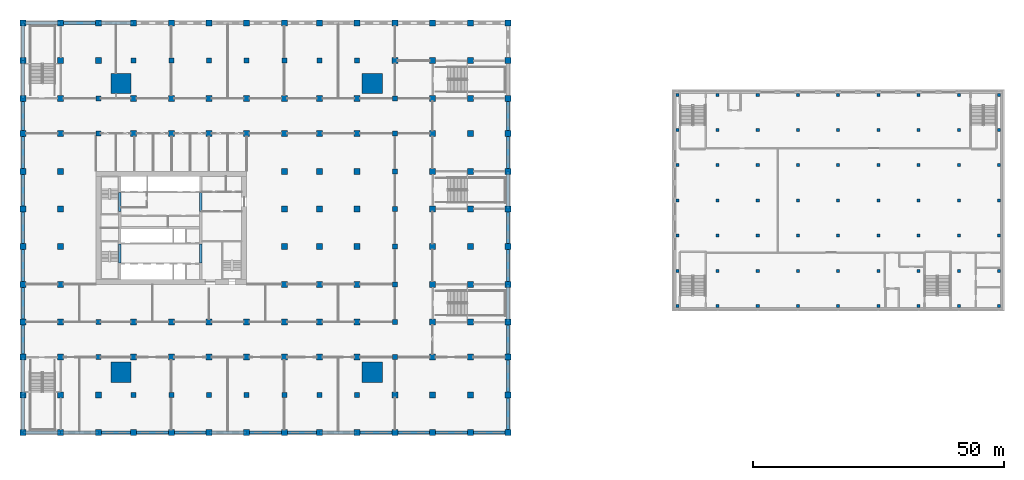
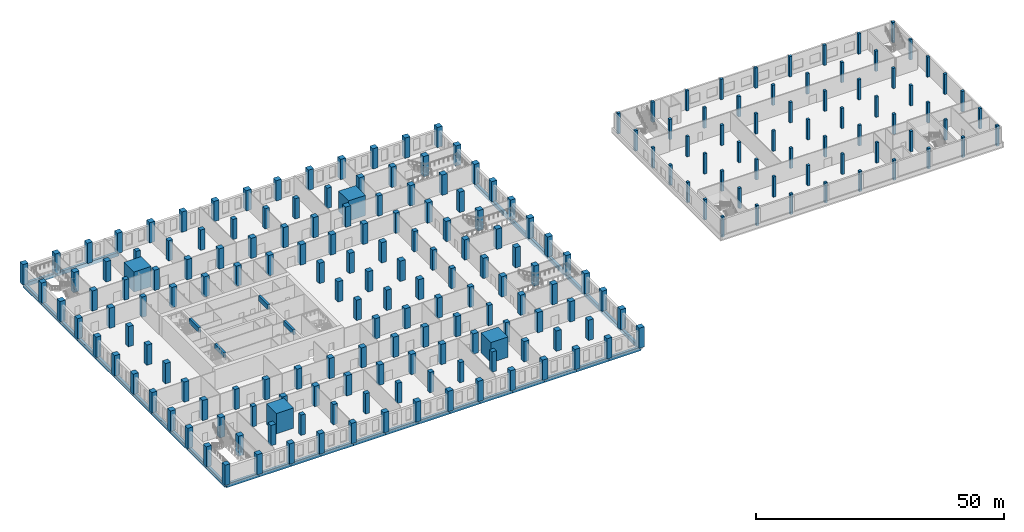
# One storey, part 1 of 32: 215 columns, 40 beams.
"""IFC4 building model written with IfcOpenShell, lengths in metres."""

from ifc_helpers import new_model, si_unit, direction, frame, origin, origin_2d, place, context, subcontext, project, spatial, rectangle, extrude, material, material_profile, profile_set, type_object, element, save


model = new_model("IFC4")

# Units and contexts
model_context = context("Model", 3, precision=1e-05, world=origin(), true_north=direction((0.0, 1.0)))
body_context = subcontext(model_context, "Body", "Model", "MODEL_VIEW")
ifc_project = project(units=[si_unit("LENGTHUNIT", "METRE"), si_unit("AREAUNIT", "SQUARE_METRE"), si_unit("VOLUMEUNIT", "CUBIC_METRE"), si_unit("PLANEANGLEUNIT", "RADIAN"), si_unit("MASSUNIT", "GRAM", prefix="KILO")], contexts=[model_context])

# Site, building, storey
site_placement = place(None, origin())
site = spatial("IfcSite", under=ifc_project, at=site_placement, CompositionType="ELEMENT")
building_placement = place(site_placement, origin())
building = spatial("IfcBuilding", under=site, at=building_placement, Name="Tamorin Gate", CompositionType="ELEMENT")
storey_placement = place(building_placement, frame((0.0, 0.0, 18.5)))
storey = spatial("IfcBuildingStorey", under=building, at=storey_placement, Name="L03", CompositionType="ELEMENT", Elevation=18.5)

# Columns
ifc_material_1 = material(Name="Concrete C80/95", Category="concrete")
ifc_material_profile_1 = material_profile(ifc_material_1, rectangle(XDim=1.0, YDim=1.0, at=origin_2d()), Name="RC 1000x1000")
ifc_profile_set_1 = profile_set([ifc_material_profile_1], Name="Concrete C80/95")
column_type_1 = type_object("IfcColumnType", Name="RC column 1000x1000 C80/95", PredefinedType="COLUMN", material=ifc_profile_set_1)
for number, where, z_axis, x_axis, name in (
    (1, (30.5, 45.5, 0.0), (0.0, 0.0, 1.0), (1.0, 0.0, 0.0), "Ring column L03"),
    (2, (30.5, 52.5, 0.0), (0.0, 0.0, 1.0), (1.0, 0.0, 0.0), "Ring column L03"),
    (3, (30.5, 90.0, 0.0), (0.0, 0.0, 1.0), (1.0, 0.0, 0.0), "Ring column L03"),
    (4, (30.5, 97.0, 0.0), (0.0, 0.0, 1.0), (1.0, 0.0, 0.0), "Ring column L03"),
    (5, (37.5, 38.0, 0.0), (0.0, 0.0, 1.0), (1.0, 0.0, 0.0), "Ring column L03"),
    (6, (37.5, 104.5, 0.0), (0.0, 0.0, 1.0), (1.0, 0.0, 0.0), "Ring column L03"),
    (7, (45.0, 38.0, 0.0), (0.0, 0.0, 1.0), (1.0, 0.0, 0.0), "Ring column L03"),
    (8, (45.0, 104.5, 0.0), (0.0, 0.0, 1.0), (1.0, 0.0, 0.0), "Ring column L03"),
    (9, (52.5, 38.0, 0.0), (0.0, 0.0, 1.0), (1.0, 0.0, 0.0), "Ring column L03"),
    (10, (52.5, 104.5, 0.0), (0.0, 0.0, 1.0), (1.0, 0.0, 0.0), "Ring column L03"),
    (11, (60.0, 38.0, 0.0), (0.0, 0.0, 1.0), (1.0, 0.0, 0.0), "Ring column L03"),
    (12, (60.0, 104.5, 0.0), (0.0, 0.0, 1.0), (1.0, 0.0, 0.0), "Ring column L03"),
    (13, (67.5, 38.0, 0.0), (0.0, 0.0, 1.0), (1.0, 0.0, 0.0), "Ring column L03"),
    (14, (67.5, 104.5, 0.0), (0.0, 0.0, 1.0), (1.0, 0.0, 0.0), "Ring column L03"),
    (15, (74.5, 38.0, 0.0), (0.0, 0.0, 1.0), (1.0, 0.0, 0.0), "Ring column L03"),
    (16, (74.5, 104.5, 0.0), (0.0, 0.0, 1.0), (1.0, 0.0, 0.0), "Ring column L03"),
    (17, (82.0, 38.0, 0.0), (0.0, 0.0, 1.0), (1.0, 0.0, 0.0), "Ring column L03"),
    (18, (82.0, 104.5, 0.0), (0.0, 0.0, 1.0), (1.0, 0.0, 0.0), "Ring column L03"),
    (19, (89.5, 45.5, 0.0), (0.0, 0.0, 1.0), (1.0, 0.0, 0.0), "Ring column L03"),
    (20, (89.5, 52.5, 0.0), (0.0, 0.0, 1.0), (1.0, 0.0, 0.0), "Ring column L03"),
    (21, (89.5, 60.0, 0.0), (0.0, 0.0, 1.0), (1.0, 0.0, 0.0), "Ring column L03"),
    (22, (89.5, 67.5, 0.0), (0.0, 0.0, 1.0), (1.0, 0.0, 0.0), "Ring column L03"),
    (23, (89.5, 75.0, 0.0), (0.0, 0.0, 1.0), (1.0, 0.0, 0.0), "Ring column L03"),
    (24, (89.5, 82.5, 0.0), (0.0, 0.0, 1.0), (1.0, 0.0, 0.0), "Ring column L03"),
    (25, (89.5, 90.0, 0.0), (0.0, 0.0, 1.0), (1.0, 0.0, 0.0), "Ring column L03"),
    (26, (89.5, 97.0, 0.0), (0.0, 0.0, 1.0), (1.0, 0.0, 0.0), "Ring column L03"),
):
    element("IfcColumn", number, at=place(storey_placement, frame(where, z_axis=z_axis, x_axis=x_axis)), inside=storey, type_object=column_type_1, Name=name, PredefinedType="COLUMN", context=body_context, shape_type="SweptSolid", body=[
        extrude(rectangle(XDim=1.0, YDim=1.0, at=origin_2d()), origin(), (0.0, 0.0, 1.0), 5.0),
    ])
ifc_material_profile_2 = material_profile(ifc_material_1, rectangle(XDim=1.199951171875, YDim=1.199951171875, at=origin_2d()), Name="RC 1200x1200")
ifc_profile_set_2 = profile_set([ifc_material_profile_2], Name="Concrete C80/95")
column_type_2 = type_object("IfcColumnType", Name="RC column 1200x1200 C80/95", PredefinedType="COLUMN", material=ifc_profile_set_2)
for number, where, z_axis, x_axis, name in (
    (27, (37.5, 45.5, 0.0), (0.0, 0.0, 1.0), (1.0, 0.0, 0.0), "Interior column L03"),
    (28, (37.5, 52.5, 0.0), (0.0, 0.0, 1.0), (1.0, 0.0, 0.0), "Interior column L03"),
    (29, (37.5, 90.0, 0.0), (0.0, 0.0, 1.0), (1.0, 0.0, 0.0), "Interior column L03"),
    (30, (37.5, 97.0, 0.0), (0.0, 0.0, 1.0), (1.0, 0.0, 0.0), "Interior column L03"),
    (31, (45.0, 45.5, 0.0), (0.0, 0.0, 1.0), (1.0, 0.0, 0.0), "Interior column L03"),
    (32, (45.0, 52.5, 0.0), (0.0, 0.0, 1.0), (1.0, 0.0, 0.0), "Interior column L03"),
    (33, (45.0, 90.0, 0.0), (0.0, 0.0, 1.0), (1.0, 0.0, 0.0), "Interior column L03"),
    (34, (45.0, 97.0, 0.0), (0.0, 0.0, 1.0), (1.0, 0.0, 0.0), "Interior column L03"),
    (35, (52.5, 45.5, 0.0), (0.0, 0.0, 1.0), (1.0, 0.0, 0.0), "Interior column L03"),
    (36, (52.5, 52.5, 0.0), (0.0, 0.0, 1.0), (1.0, 0.0, 0.0), "Interior column L03"),
    (37, (52.5, 90.0, 0.0), (0.0, 0.0, 1.0), (1.0, 0.0, 0.0), "Interior column L03"),
    (38, (52.5, 97.0, 0.0), (0.0, 0.0, 1.0), (1.0, 0.0, 0.0), "Interior column L03"),
    (39, (60.0, 45.5, 0.0), (0.0, 0.0, 1.0), (1.0, 0.0, 0.0), "Interior column L03"),
    (40, (60.0, 52.5, 0.0), (0.0, 0.0, 1.0), (1.0, 0.0, 0.0), "Interior column L03"),
    (41, (60.0, 90.0, 0.0), (0.0, 0.0, 1.0), (1.0, 0.0, 0.0), "Interior column L03"),
    (42, (60.0, 97.0, 0.0), (0.0, 0.0, 1.0), (1.0, 0.0, 0.0), "Interior column L03"),
    (43, (67.5, 45.5, 0.0), (0.0, 0.0, 1.0), (1.0, 0.0, 0.0), "Interior column L03"),
    (44, (67.5, 52.5, 0.0), (0.0, 0.0, 1.0), (1.0, 0.0, 0.0), "Interior column L03"),
    (45, (67.5, 60.0, 0.0), (0.0, 0.0, 1.0), (1.0, 0.0, 0.0), "Interior column L03"),
    (46, (67.5, 67.5, 0.0), (0.0, 0.0, 1.0), (1.0, 0.0, 0.0), "Interior column L03"),
    (47, (67.5, 75.0, 0.0), (0.0, 0.0, 1.0), (1.0, 0.0, 0.0), "Interior column L03"),
    (48, (67.5, 82.5, 0.0), (0.0, 0.0, 1.0), (1.0, 0.0, 0.0), "Interior column L03"),
    (49, (67.5, 90.0, 0.0), (0.0, 0.0, 1.0), (1.0, 0.0, 0.0), "Interior column L03"),
    (50, (67.5, 97.0, 0.0), (0.0, 0.0, 1.0), (1.0, 0.0, 0.0), "Interior column L03"),
    (51, (74.5, 45.5, 0.0), (0.0, 0.0, 1.0), (1.0, 0.0, 0.0), "Interior column L03"),
    (52, (74.5, 52.5, 0.0), (0.0, 0.0, 1.0), (1.0, 0.0, 0.0), "Interior column L03"),
    (53, (74.5, 60.0, 0.0), (0.0, 0.0, 1.0), (1.0, 0.0, 0.0), "Interior column L03"),
    (54, (74.5, 67.5, 0.0), (0.0, 0.0, 1.0), (1.0, 0.0, 0.0), "Interior column L03"),
    (55, (74.5, 75.0, 0.0), (0.0, 0.0, 1.0), (1.0, 0.0, 0.0), "Interior column L03"),
    (56, (74.5, 82.5, 0.0), (0.0, 0.0, 1.0), (1.0, 0.0, 0.0), "Interior column L03"),
    (57, (74.5, 90.0, 0.0), (0.0, 0.0, 1.0), (1.0, 0.0, 0.0), "Interior column L03"),
    (58, (74.5, 97.0, 0.0), (0.0, 0.0, 1.0), (1.0, 0.0, 0.0), "Interior column L03"),
    (59, (82.0, 45.5, 0.0), (0.0, 0.0, 1.0), (1.0, 0.0, 0.0), "Interior column L03"),
    (60, (82.0, 52.5, 0.0), (0.0, 0.0, 1.0), (1.0, 0.0, 0.0), "Interior column L03"),
    (61, (82.0, 60.0, 0.0), (0.0, 0.0, 1.0), (1.0, 0.0, 0.0), "Interior column L03"),
    (62, (82.0, 67.5, 0.0), (0.0, 0.0, 1.0), (1.0, 0.0, 0.0), "Interior column L03"),
    (63, (82.0, 75.0, 0.0), (0.0, 0.0, 1.0), (1.0, 0.0, 0.0), "Interior column L03"),
    (64, (82.0, 82.5, 0.0), (0.0, 0.0, 1.0), (1.0, 0.0, 0.0), "Interior column L03"),
    (65, (82.0, 90.0, 0.0), (0.0, 0.0, 1.0), (1.0, 0.0, 0.0), "Interior column L03"),
    (66, (82.0, 97.0, 0.0), (0.0, 0.0, 1.0), (1.0, 0.0, 0.0), "Interior column L03"),
    (67, (15.5, 30.5, 0.0), (0.0, 0.0, 1.0), (1.0, 0.0, 0.0), "Podium column L03"),
    (68, (15.5, 38.0, 0.0), (0.0, 0.0, 1.0), (1.0, 0.0, 0.0), "Podium column L03"),
    (69, (15.5, 45.5, 0.0), (0.0, 0.0, 1.0), (1.0, 0.0, 0.0), "Podium column L03"),
    (70, (15.5, 52.5, 0.0), (0.0, 0.0, 1.0), (1.0, 0.0, 0.0), "Podium column L03"),
    (71, (15.5, 60.0, 0.0), (0.0, 0.0, 1.0), (1.0, 0.0, 0.0), "Podium column L03"),
    (72, (15.5, 67.5, 0.0), (0.0, 0.0, 1.0), (1.0, 0.0, 0.0), "Podium column L03"),
    (73, (15.5, 75.0, 0.0), (0.0, 0.0, 1.0), (1.0, 0.0, 0.0), "Podium column L03"),
    (74, (15.5, 82.5, 0.0), (0.0, 0.0, 1.0), (1.0, 0.0, 0.0), "Podium column L03"),
    (75, (15.5, 90.0, 0.0), (0.0, 0.0, 1.0), (1.0, 0.0, 0.0), "Podium column L03"),
    (76, (15.5, 97.0, 0.0), (0.0, 0.0, 1.0), (1.0, 0.0, 0.0), "Podium column L03"),
    (77, (15.5, 104.5, 0.0), (0.0, 0.0, 1.0), (1.0, 0.0, 0.0), "Podium column L03"),
    (78, (15.5, 112.0, 0.0), (0.0, 0.0, 1.0), (1.0, 0.0, 0.0), "Podium column L03"),
    (79, (23.0, 30.5, 0.0), (0.0, 0.0, 1.0), (1.0, 0.0, 0.0), "Podium column L03"),
    (80, (23.0, 38.0, 0.0), (0.0, 0.0, 1.0), (1.0, 0.0, 0.0), "Podium column L03"),
    (81, (23.0, 45.5, 0.0), (0.0, 0.0, 1.0), (1.0, 0.0, 0.0), "Podium column L03"),
    (82, (23.0, 52.5, 0.0), (0.0, 0.0, 1.0), (1.0, 0.0, 0.0), "Podium column L03"),
    (83, (23.0, 60.0, 0.0), (0.0, 0.0, 1.0), (1.0, 0.0, 0.0), "Podium column L03"),
    (84, (23.0, 67.5, 0.0), (0.0, 0.0, 1.0), (1.0, 0.0, 0.0), "Podium column L03"),
    (85, (23.0, 75.0, 0.0), (0.0, 0.0, 1.0), (1.0, 0.0, 0.0), "Podium column L03"),
    (86, (23.0, 82.5, 0.0), (0.0, 0.0, 1.0), (1.0, 0.0, 0.0), "Podium column L03"),
    (87, (23.0, 90.0, 0.0), (0.0, 0.0, 1.0), (1.0, 0.0, 0.0), "Podium column L03"),
    (88, (23.0, 97.0, 0.0), (0.0, 0.0, 1.0), (1.0, 0.0, 0.0), "Podium column L03"),
    (89, (23.0, 104.5, 0.0), (0.0, 0.0, 1.0), (1.0, 0.0, 0.0), "Podium column L03"),
    (90, (23.0, 112.0, 0.0), (0.0, 0.0, 1.0), (1.0, 0.0, 0.0), "Podium column L03"),
    (91, (30.5, 30.5, 0.0), (0.0, 0.0, 1.0), (1.0, 0.0, 0.0), "Podium column L03"),
    (92, (30.5, 38.0, 0.0), (0.0, 0.0, 1.0), (1.0, 0.0, 0.0), "Podium column L03"),
    (93, (30.5, 104.5, 0.0), (0.0, 0.0, 1.0), (1.0, 0.0, 0.0), "Podium column L03"),
    (94, (30.5, 112.0, 0.0), (0.0, 0.0, 1.0), (1.0, 0.0, 0.0), "Podium column L03"),
    (95, (37.5, 30.5, 0.0), (0.0, 0.0, 1.0), (1.0, 0.0, 0.0), "Podium column L03"),
    (96, (37.5, 112.0, 0.0), (0.0, 0.0, 1.0), (1.0, 0.0, 0.0), "Podium column L03"),
    (97, (45.0, 30.5, 0.0), (0.0, 0.0, 1.0), (1.0, 0.0, 0.0), "Podium column L03"),
    (98, (45.0, 112.0, 0.0), (0.0, 0.0, 1.0), (1.0, 0.0, 0.0), "Podium column L03"),
    (99, (52.5, 30.5, 0.0), (0.0, 0.0, 1.0), (1.0, 0.0, 0.0), "Podium column L03"),
    (100, (52.5, 112.0, 0.0), (0.0, 0.0, 1.0), (1.0, 0.0, 0.0), "Podium column L03"),
    (101, (60.0, 30.5, 0.0), (0.0, 0.0, 1.0), (1.0, 0.0, 0.0), "Podium column L03"),
    (102, (60.0, 112.0, 0.0), (0.0, 0.0, 1.0), (1.0, 0.0, 0.0), "Podium column L03"),
    (103, (67.5, 30.5, 0.0), (0.0, 0.0, 1.0), (1.0, 0.0, 0.0), "Podium column L03"),
    (104, (67.5, 112.0, 0.0), (0.0, 0.0, 1.0), (1.0, 0.0, 0.0), "Podium column L03"),
    (105, (74.5, 30.5, 0.0), (0.0, 0.0, 1.0), (1.0, 0.0, 0.0), "Podium column L03"),
    (106, (74.5, 112.0, 0.0), (0.0, 0.0, 1.0), (1.0, 0.0, 0.0), "Podium column L03"),
    (107, (82.0, 30.5, 0.0), (0.0, 0.0, 1.0), (1.0, 0.0, 0.0), "Podium column L03"),
    (108, (82.0, 112.0, 0.0), (0.0, 0.0, 1.0), (1.0, 0.0, 0.0), "Podium column L03"),
    (109, (89.5, 30.5, 0.0), (0.0, 0.0, 1.0), (1.0, 0.0, 0.0), "Podium column L03"),
    (110, (89.5, 38.0, 0.0), (0.0, 0.0, 1.0), (1.0, 0.0, 0.0), "Podium column L03"),
    (111, (89.5, 104.5, 0.0), (0.0, 0.0, 1.0), (1.0, 0.0, 0.0), "Podium column L03"),
    (112, (89.5, 112.0, 0.0), (0.0, 0.0, 1.0), (1.0, 0.0, 0.0), "Podium column L03"),
    (113, (97.0, 30.5, 0.0), (0.0, 0.0, 1.0), (1.0, 0.0, 0.0), "Podium column L03"),
    (114, (97.0, 38.0, 0.0), (0.0, 0.0, 1.0), (1.0, 0.0, 0.0), "Podium column L03"),
    (115, (97.0, 45.5, 0.0), (0.0, 0.0, 1.0), (1.0, 0.0, 0.0), "Podium column L03"),
    (116, (97.0, 52.5, 0.0), (0.0, 0.0, 1.0), (1.0, 0.0, 0.0), "Podium column L03"),
    (117, (97.0, 60.0, 0.0), (0.0, 0.0, 1.0), (1.0, 0.0, 0.0), "Podium column L03"),
    (118, (97.0, 67.5, 0.0), (0.0, 0.0, 1.0), (1.0, 0.0, 0.0), "Podium column L03"),
    (119, (97.0, 75.0, 0.0), (0.0, 0.0, 1.0), (1.0, 0.0, 0.0), "Podium column L03"),
    (120, (97.0, 82.5, 0.0), (0.0, 0.0, 1.0), (1.0, 0.0, 0.0), "Podium column L03"),
    (121, (97.0, 90.0, 0.0), (0.0, 0.0, 1.0), (1.0, 0.0, 0.0), "Podium column L03"),
    (122, (97.0, 97.0, 0.0), (0.0, 0.0, 1.0), (1.0, 0.0, 0.0), "Podium column L03"),
    (123, (97.0, 104.5, 0.0), (0.0, 0.0, 1.0), (1.0, 0.0, 0.0), "Podium column L03"),
    (124, (97.0, 112.0, 0.0), (0.0, 0.0, 1.0), (1.0, 0.0, 0.0), "Podium column L03"),
    (125, (104.5, 30.5, 0.0), (0.0, 0.0, 1.0), (1.0, 0.0, 0.0), "Podium column L03"),
    (126, (104.5, 38.0, 0.0), (0.0, 0.0, 1.0), (1.0, 0.0, 0.0), "Podium column L03"),
    (127, (104.5, 45.5, 0.0), (0.0, 0.0, 1.0), (1.0, 0.0, 0.0), "Podium column L03"),
    (128, (104.5, 52.5, 0.0), (0.0, 0.0, 1.0), (1.0, 0.0, 0.0), "Podium column L03"),
    (129, (104.5, 60.0, 0.0), (0.0, 0.0, 1.0), (1.0, 0.0, 0.0), "Podium column L03"),
    (130, (104.5, 67.5, 0.0), (0.0, 0.0, 1.0), (1.0, 0.0, 0.0), "Podium column L03"),
    (131, (104.5, 75.0, 0.0), (0.0, 0.0, 1.0), (1.0, 0.0, 0.0), "Podium column L03"),
    (132, (104.5, 82.5, 0.0), (0.0, 0.0, 1.0), (1.0, 0.0, 0.0), "Podium column L03"),
    (133, (104.5, 90.0, 0.0), (0.0, 0.0, 1.0), (1.0, 0.0, 0.0), "Podium column L03"),
    (134, (104.5, 97.0, 0.0), (0.0, 0.0, 1.0), (1.0, 0.0, 0.0), "Podium column L03"),
    (135, (104.5, 104.5, 0.0), (0.0, 0.0, 1.0), (1.0, 0.0, 0.0), "Podium column L03"),
    (136, (104.5, 112.0, 0.0), (0.0, 0.0, 1.0), (1.0, 0.0, 0.0), "Podium column L03"),
    (137, (112.0, 30.5, 0.0), (0.0, 0.0, 1.0), (1.0, 0.0, 0.0), "Podium column L03"),
    (138, (112.0, 38.0, 0.0), (0.0, 0.0, 1.0), (1.0, 0.0, 0.0), "Podium column L03"),
    (139, (112.0, 45.5, 0.0), (0.0, 0.0, 1.0), (1.0, 0.0, 0.0), "Podium column L03"),
    (140, (112.0, 52.5, 0.0), (0.0, 0.0, 1.0), (1.0, 0.0, 0.0), "Podium column L03"),
    (141, (112.0, 60.0, 0.0), (0.0, 0.0, 1.0), (1.0, 0.0, 0.0), "Podium column L03"),
    (142, (112.0, 67.5, 0.0), (0.0, 0.0, 1.0), (1.0, 0.0, 0.0), "Podium column L03"),
    (143, (112.0, 75.0, 0.0), (0.0, 0.0, 1.0), (1.0, 0.0, 0.0), "Podium column L03"),
    (144, (112.0, 82.5, 0.0), (0.0, 0.0, 1.0), (1.0, 0.0, 0.0), "Podium column L03"),
    (145, (112.0, 90.0, 0.0), (0.0, 0.0, 1.0), (1.0, 0.0, 0.0), "Podium column L03"),
    (146, (112.0, 97.0, 0.0), (0.0, 0.0, 1.0), (1.0, 0.0, 0.0), "Podium column L03"),
    (147, (112.0, 104.5, 0.0), (0.0, 0.0, 1.0), (1.0, 0.0, 0.0), "Podium column L03"),
    (148, (112.0, 112.0, 0.0), (0.0, 0.0, 1.0), (1.0, 0.0, 0.0), "Podium column L03"),
):
    element("IfcColumn", number, at=place(storey_placement, frame(where, z_axis=z_axis, x_axis=x_axis)), inside=storey, type_object=column_type_2, Name=name, PredefinedType="COLUMN", context=body_context, shape_type="SweptSolid", body=[
        extrude(rectangle(XDim=1.199951171875, YDim=1.199951171875, at=origin_2d()), origin(), (0.0, 0.0, 1.0), 5.0),
    ])
ifc_material_profile_3 = material_profile(ifc_material_1, rectangle(XDim=4.0, YDim=4.0, at=origin_2d()), Name="RC 4000x4000")
ifc_profile_set_3 = profile_set([ifc_material_profile_3], Name="Concrete C80/95")
column_type_3 = type_object("IfcColumnType", Name="RC column 4000x4000 C80/95", PredefinedType="COLUMN", material=ifc_profile_set_3)
for number, where, z_axis, x_axis, name in (
    (149, (35.0, 42.5, 0.0), (0.0, 0.0, 1.0), (1.0, 0.0, 0.0), "Mega column SW L03"),
    (150, (85.0, 42.5, 0.0), (0.0, 0.0, 1.0), (1.0, 0.0, 0.0), "Mega column SE L03"),
    (151, (35.0, 100.0, 0.0), (0.0, 0.0, 1.0), (1.0, 0.0, 0.0), "Mega column NW L03"),
    (152, (85.0, 100.0, 0.0), (0.0, 0.0, 1.0), (1.0, 0.0, 0.0), "Mega column NE L03"),
):
    element("IfcColumn", number, at=place(storey_placement, frame(where, z_axis=z_axis, x_axis=x_axis)), inside=storey, type_object=column_type_3, Name=name, PredefinedType="COLUMN", context=body_context, shape_type="SweptSolid", body=[
        extrude(rectangle(XDim=4.0, YDim=4.0, at=origin_2d()), origin(), (0.0, 0.0, 1.0), 5.0),
    ])
ifc_material_2 = material(Name="Concrete C50/60", Category="concrete")
ifc_material_profile_4 = material_profile(ifc_material_2, rectangle(XDim=0.60009765625, YDim=0.60009765625, at=origin_2d()))
ifc_profile_set_4 = profile_set([ifc_material_profile_4], Name="Concrete C50/60")
column_type_4 = type_object("IfcColumnType", Name="RC column 600x600 C50/60", PredefinedType="COLUMN", material=ifc_profile_set_4)
for number, where, z_axis, x_axis, name in (
    (153, (145.699951171875, 55.699951171875, 0.0), (0.0, 0.0, 1.0), (1.0, 0.0, 0.0), "Museum column L03"),
    (154, (145.699951171875, 62.699951171875, 0.0), (0.0, 0.0, 1.0), (1.0, 0.0, 0.0), "Museum column L03"),
    (155, (145.699951171875, 69.699951171875, 0.0), (0.0, 0.0, 1.0), (1.0, 0.0, 0.0), "Museum column L03"),
    (156, (145.699951171875, 76.699951171875, 0.0), (0.0, 0.0, 1.0), (1.0, 0.0, 0.0), "Museum column L03"),
    (157, (145.699951171875, 83.699951171875, 0.0), (0.0, 0.0, 1.0), (1.0, 0.0, 0.0), "Museum column L03"),
    (158, (145.699951171875, 90.699951171875, 0.0), (0.0, 0.0, 1.0), (1.0, 0.0, 0.0), "Museum column L03"),
    (159, (145.699951171875, 97.699951171875, 0.0), (0.0, 0.0, 1.0), (1.0, 0.0, 0.0), "Museum column L03"),
    (160, (153.699951171875, 55.699951171875, 0.0), (0.0, 0.0, 1.0), (1.0, 0.0, 0.0), "Museum column L03"),
    (161, (153.699951171875, 62.699951171875, 0.0), (0.0, 0.0, 1.0), (1.0, 0.0, 0.0), "Museum column L03"),
    (162, (153.699951171875, 69.699951171875, 0.0), (0.0, 0.0, 1.0), (1.0, 0.0, 0.0), "Museum column L03"),
    (163, (153.699951171875, 76.699951171875, 0.0), (0.0, 0.0, 1.0), (1.0, 0.0, 0.0), "Museum column L03"),
    (164, (153.699951171875, 83.699951171875, 0.0), (0.0, 0.0, 1.0), (1.0, 0.0, 0.0), "Museum column L03"),
    (165, (153.699951171875, 90.699951171875, 0.0), (0.0, 0.0, 1.0), (1.0, 0.0, 0.0), "Museum column L03"),
    (166, (153.699951171875, 97.699951171875, 0.0), (0.0, 0.0, 1.0), (1.0, 0.0, 0.0), "Museum column L03"),
    (167, (161.699951171875, 55.699951171875, 0.0), (0.0, 0.0, 1.0), (1.0, 0.0, 0.0), "Museum column L03"),
    (168, (161.699951171875, 62.699951171875, 0.0), (0.0, 0.0, 1.0), (1.0, 0.0, 0.0), "Museum column L03"),
    (169, (161.699951171875, 69.699951171875, 0.0), (0.0, 0.0, 1.0), (1.0, 0.0, 0.0), "Museum column L03"),
    (170, (161.699951171875, 76.699951171875, 0.0), (0.0, 0.0, 1.0), (1.0, 0.0, 0.0), "Museum column L03"),
    (171, (161.699951171875, 83.699951171875, 0.0), (0.0, 0.0, 1.0), (1.0, 0.0, 0.0), "Museum column L03"),
    (172, (161.699951171875, 90.699951171875, 0.0), (0.0, 0.0, 1.0), (1.0, 0.0, 0.0), "Museum column L03"),
    (173, (161.699951171875, 97.699951171875, 0.0), (0.0, 0.0, 1.0), (1.0, 0.0, 0.0), "Museum column L03"),
    (174, (169.699951171875, 55.699951171875, 0.0), (0.0, 0.0, 1.0), (1.0, 0.0, 0.0), "Museum column L03"),
    (175, (169.699951171875, 62.699951171875, 0.0), (0.0, 0.0, 1.0), (1.0, 0.0, 0.0), "Museum column L03"),
    (176, (169.699951171875, 69.699951171875, 0.0), (0.0, 0.0, 1.0), (1.0, 0.0, 0.0), "Museum column L03"),
    (177, (169.699951171875, 76.699951171875, 0.0), (0.0, 0.0, 1.0), (1.0, 0.0, 0.0), "Museum column L03"),
    (178, (169.699951171875, 83.699951171875, 0.0), (0.0, 0.0, 1.0), (1.0, 0.0, 0.0), "Museum column L03"),
    (179, (169.699951171875, 90.699951171875, 0.0), (0.0, 0.0, 1.0), (1.0, 0.0, 0.0), "Museum column L03"),
    (180, (169.699951171875, 97.699951171875, 0.0), (0.0, 0.0, 1.0), (1.0, 0.0, 0.0), "Museum column L03"),
    (181, (177.699951171875, 55.699951171875, 0.0), (0.0, 0.0, 1.0), (1.0, 0.0, 0.0), "Museum column L03"),
    (182, (177.699951171875, 62.699951171875, 0.0), (0.0, 0.0, 1.0), (1.0, 0.0, 0.0), "Museum column L03"),
    (183, (177.699951171875, 69.699951171875, 0.0), (0.0, 0.0, 1.0), (1.0, 0.0, 0.0), "Museum column L03"),
    (184, (177.699951171875, 76.699951171875, 0.0), (0.0, 0.0, 1.0), (1.0, 0.0, 0.0), "Museum column L03"),
    (185, (177.699951171875, 83.699951171875, 0.0), (0.0, 0.0, 1.0), (1.0, 0.0, 0.0), "Museum column L03"),
    (186, (177.699951171875, 90.699951171875, 0.0), (0.0, 0.0, 1.0), (1.0, 0.0, 0.0), "Museum column L03"),
    (187, (177.699951171875, 97.699951171875, 0.0), (0.0, 0.0, 1.0), (1.0, 0.0, 0.0), "Museum column L03"),
    (188, (185.699951171875, 55.699951171875, 0.0), (0.0, 0.0, 1.0), (1.0, 0.0, 0.0), "Museum column L03"),
    (189, (185.699951171875, 62.699951171875, 0.0), (0.0, 0.0, 1.0), (1.0, 0.0, 0.0), "Museum column L03"),
    (190, (185.699951171875, 69.699951171875, 0.0), (0.0, 0.0, 1.0), (1.0, 0.0, 0.0), "Museum column L03"),
    (191, (185.699951171875, 76.699951171875, 0.0), (0.0, 0.0, 1.0), (1.0, 0.0, 0.0), "Museum column L03"),
    (192, (185.699951171875, 83.699951171875, 0.0), (0.0, 0.0, 1.0), (1.0, 0.0, 0.0), "Museum column L03"),
    (193, (185.699951171875, 90.699951171875, 0.0), (0.0, 0.0, 1.0), (1.0, 0.0, 0.0), "Museum column L03"),
    (194, (185.699951171875, 97.699951171875, 0.0), (0.0, 0.0, 1.0), (1.0, 0.0, 0.0), "Museum column L03"),
    (195, (193.699951171875, 55.699951171875, 0.0), (0.0, 0.0, 1.0), (1.0, 0.0, 0.0), "Museum column L03"),
    (196, (193.699951171875, 62.699951171875, 0.0), (0.0, 0.0, 1.0), (1.0, 0.0, 0.0), "Museum column L03"),
    (197, (193.699951171875, 69.699951171875, 0.0), (0.0, 0.0, 1.0), (1.0, 0.0, 0.0), "Museum column L03"),
    (198, (193.699951171875, 76.699951171875, 0.0), (0.0, 0.0, 1.0), (1.0, 0.0, 0.0), "Museum column L03"),
    (199, (193.699951171875, 83.699951171875, 0.0), (0.0, 0.0, 1.0), (1.0, 0.0, 0.0), "Museum column L03"),
    (200, (193.699951171875, 90.699951171875, 0.0), (0.0, 0.0, 1.0), (1.0, 0.0, 0.0), "Museum column L03"),
    (201, (193.699951171875, 97.699951171875, 0.0), (0.0, 0.0, 1.0), (1.0, 0.0, 0.0), "Museum column L03"),
    (202, (201.699951171875, 55.699951171875, 0.0), (0.0, 0.0, 1.0), (1.0, 0.0, 0.0), "Museum column L03"),
    (203, (201.699951171875, 62.699951171875, 0.0), (0.0, 0.0, 1.0), (1.0, 0.0, 0.0), "Museum column L03"),
    (204, (201.699951171875, 69.699951171875, 0.0), (0.0, 0.0, 1.0), (1.0, 0.0, 0.0), "Museum column L03"),
    (205, (201.699951171875, 76.699951171875, 0.0), (0.0, 0.0, 1.0), (1.0, 0.0, 0.0), "Museum column L03"),
    (206, (201.699951171875, 83.699951171875, 0.0), (0.0, 0.0, 1.0), (1.0, 0.0, 0.0), "Museum column L03"),
    (207, (201.699951171875, 90.699951171875, 0.0), (0.0, 0.0, 1.0), (1.0, 0.0, 0.0), "Museum column L03"),
    (208, (201.699951171875, 97.699951171875, 0.0), (0.0, 0.0, 1.0), (1.0, 0.0, 0.0), "Museum column L03"),
    (209, (209.699951171875, 55.699951171875, 0.0), (0.0, 0.0, 1.0), (1.0, 0.0, 0.0), "Museum column L03"),
    (210, (209.699951171875, 62.699951171875, 0.0), (0.0, 0.0, 1.0), (1.0, 0.0, 0.0), "Museum column L03"),
    (211, (209.699951171875, 69.699951171875, 0.0), (0.0, 0.0, 1.0), (1.0, 0.0, 0.0), "Museum column L03"),
    (212, (209.699951171875, 76.699951171875, 0.0), (0.0, 0.0, 1.0), (1.0, 0.0, 0.0), "Museum column L03"),
    (213, (209.699951171875, 83.699951171875, 0.0), (0.0, 0.0, 1.0), (1.0, 0.0, 0.0), "Museum column L03"),
    (214, (209.699951171875, 90.699951171875, 0.0), (0.0, 0.0, 1.0), (1.0, 0.0, 0.0), "Museum column L03"),
    (215, (209.699951171875, 97.699951171875, 0.0), (0.0, 0.0, 1.0), (1.0, 0.0, 0.0), "Museum column L03"),
):
    element("IfcColumn", number, at=place(storey_placement, frame(where, z_axis=z_axis, x_axis=x_axis)), inside=storey, type_object=column_type_4, Name=name, PredefinedType="COLUMN", context=body_context, shape_type="SweptSolid", body=[
        extrude(rectangle(XDim=0.60009765625, YDim=0.60009765625, at=origin_2d()), origin(), (0.0, 0.0, 1.0), 5.0),
    ])

# Beams
ifc_material_profile_5 = material_profile(ifc_material_1, rectangle(XDim=0.5, YDim=1.199951171875, at=origin_2d()), Name="RC 500x1200")
ifc_profile_set_5 = profile_set([ifc_material_profile_5], Name="Concrete C80/95")
beam_type_1 = type_object("IfcBeamType", Name="RC coupling beam 500x1200 C80/95", PredefinedType="BEAM", material=ifc_profile_set_5)
for number, where, z_axis, x_axis, name in (
    (216, (34.75, 64.199951171875, 4.39990234375), (0.0, 1.0, 0.0), (-1.0, 0.0, 0.0), "Coupling beam L03"),
    (217, (34.75, 74.449951171875, 4.39990234375), (0.0, 1.0, 0.0), (-1.0, 0.0, 0.0), "Coupling beam L03"),
    (218, (50.85009765625, 64.199951171875, 4.39990234375), (0.0, 1.0, 0.0), (-1.0, 0.0, 0.0), "Coupling beam L03"),
    (219, (50.85009765625, 74.449951171875, 4.39990234375), (0.0, 1.0, 0.0), (-1.0, 0.0, 0.0), "Coupling beam L03"),
):
    element("IfcBeam", number, at=place(storey_placement, frame(where, z_axis=z_axis, x_axis=x_axis)), inside=storey, type_object=beam_type_1, Name=name, PredefinedType="BEAM", context=body_context, shape_type="SweptSolid", body=[
        extrude(rectangle(XDim=0.5, YDim=1.199951171875, at=origin_2d()), origin(), (0.0, 0.0, 1.0), 3.85009765625),
    ])
ifc_material_profile_6 = material_profile(ifc_material_2, rectangle(XDim=0.60009765625, YDim=0.89990234375, at=origin_2d()), Name="RC 600x900")
ifc_profile_set_6 = profile_set([ifc_material_profile_6], Name="Concrete C50/60")
beam_type_2 = type_object("IfcBeamType", Name="RC spandrel 600x900 C50/60", PredefinedType="BEAM", material=ifc_profile_set_6)
for number, where, z_axis, x_axis, name in (
    (220, (15.5, 30.5, -0.449951171875), (1.0, 0.0, 0.0), (0.0, 1.0, 0.0), "Spandrel beam L03"),
    (221, (23.0, 30.5, -0.449951171875), (1.0, 0.0, 0.0), (0.0, 1.0, 0.0), "Spandrel beam L03"),
):
    element("IfcBeam", number, at=place(storey_placement, frame(where, z_axis=z_axis, x_axis=x_axis)), inside=storey, type_object=beam_type_2, Name=name, PredefinedType="BEAM", context=body_context, shape_type="SweptSolid", body=[
        extrude(rectangle(XDim=0.60009765625, YDim=0.89990234375, at=origin_2d()), origin(), (0.0, 0.0, 1.0), 7.5),
    ])
beam_1_placement = place(storey_placement, frame((30.5, 30.5, -0.449951171875), z_axis=(1.0, 0.0, 0.0), x_axis=(0.0, 1.0, 0.0)))
element("IfcBeam", 222, at=beam_1_placement, inside=storey, type_object=beam_type_2, Name="Spandrel beam L03", PredefinedType="BEAM", context=body_context, shape_type="SweptSolid", body=[
    extrude(rectangle(XDim=0.60009765625, YDim=0.89990234375, at=origin_2d()), origin(), (0.0, 0.0, 1.0), 7.0),
])
for number, where, z_axis, x_axis, name in (
    (223, (37.5, 30.5, -0.449951171875), (1.0, 0.0, 0.0), (0.0, 1.0, 0.0), "Spandrel beam L03"),
    (224, (45.0, 30.5, -0.449951171875), (1.0, 0.0, 0.0), (0.0, 1.0, 0.0), "Spandrel beam L03"),
    (225, (52.5, 30.5, -0.449951171875), (1.0, 0.0, 0.0), (0.0, 1.0, 0.0), "Spandrel beam L03"),
    (226, (60.0, 30.5, -0.449951171875), (1.0, 0.0, 0.0), (0.0, 1.0, 0.0), "Spandrel beam L03"),
):
    element("IfcBeam", number, at=place(storey_placement, frame(where, z_axis=z_axis, x_axis=x_axis)), inside=storey, type_object=beam_type_2, Name=name, PredefinedType="BEAM", context=body_context, shape_type="SweptSolid", body=[
        extrude(rectangle(XDim=0.60009765625, YDim=0.89990234375, at=origin_2d()), origin(), (0.0, 0.0, 1.0), 7.5),
    ])
beam_2_placement = place(storey_placement, frame((67.5, 30.5, -0.449951171875), z_axis=(1.0, 0.0, 0.0), x_axis=(0.0, 1.0, 0.0)))
element("IfcBeam", 227, at=beam_2_placement, inside=storey, type_object=beam_type_2, Name="Spandrel beam L03", PredefinedType="BEAM", context=body_context, shape_type="SweptSolid", body=[
    extrude(rectangle(XDim=0.60009765625, YDim=0.89990234375, at=origin_2d()), origin(), (0.0, 0.0, 1.0), 7.0),
])
for number, where, z_axis, x_axis, name in (
    (228, (74.5, 30.5, -0.449951171875), (1.0, 0.0, 0.0), (0.0, 1.0, 0.0), "Spandrel beam L03"),
    (229, (82.0, 30.5, -0.449951171875), (1.0, 0.0, 0.0), (0.0, 1.0, 0.0), "Spandrel beam L03"),
    (230, (89.5, 30.5, -0.449951171875), (1.0, 0.0, 0.0), (0.0, 1.0, 0.0), "Spandrel beam L03"),
    (231, (97.0, 30.5, -0.449951171875), (1.0, 0.0, 0.0), (0.0, 1.0, 0.0), "Spandrel beam L03"),
    (232, (104.5, 30.5, -0.449951171875), (1.0, 0.0, 0.0), (0.0, 1.0, 0.0), "Spandrel beam L03"),
    (233, (112.0, 30.5, -0.449951171875), (0.0, 1.0, 0.0), (-1.0, 0.0, 0.0), "Spandrel beam L03"),
    (234, (112.0, 38.0, -0.449951171875), (0.0, 1.0, 0.0), (-1.0, 0.0, 0.0), "Spandrel beam L03"),
):
    element("IfcBeam", number, at=place(storey_placement, frame(where, z_axis=z_axis, x_axis=x_axis)), inside=storey, type_object=beam_type_2, Name=name, PredefinedType="BEAM", context=body_context, shape_type="SweptSolid", body=[
        extrude(rectangle(XDim=0.60009765625, YDim=0.89990234375, at=origin_2d()), origin(), (0.0, 0.0, 1.0), 7.5),
    ])
beam_3_placement = place(storey_placement, frame((112.0, 45.5, -0.449951171875), z_axis=(0.0, 1.0, 0.0), x_axis=(-1.0, 0.0, 0.0)))
element("IfcBeam", 235, at=beam_3_placement, inside=storey, type_object=beam_type_2, Name="Spandrel beam L03", PredefinedType="BEAM", context=body_context, shape_type="SweptSolid", body=[
    extrude(rectangle(XDim=0.60009765625, YDim=0.89990234375, at=origin_2d()), origin(), (0.0, 0.0, 1.0), 7.0),
])
for number, where, z_axis, x_axis, name in (
    (236, (112.0, 52.5, -0.449951171875), (0.0, 1.0, 0.0), (-1.0, 0.0, 0.0), "Spandrel beam L03"),
    (237, (112.0, 60.0, -0.449951171875), (0.0, 1.0, 0.0), (-1.0, 0.0, 0.0), "Spandrel beam L03"),
    (238, (112.0, 67.5, -0.449951171875), (0.0, 1.0, 0.0), (-1.0, 0.0, 0.0), "Spandrel beam L03"),
    (239, (112.0, 75.0, -0.449951171875), (0.0, 1.0, 0.0), (-1.0, 0.0, 0.0), "Spandrel beam L03"),
    (240, (112.0, 82.5, -0.449951171875), (0.0, 1.0, 0.0), (-1.0, 0.0, 0.0), "Spandrel beam L03"),
):
    element("IfcBeam", number, at=place(storey_placement, frame(where, z_axis=z_axis, x_axis=x_axis)), inside=storey, type_object=beam_type_2, Name=name, PredefinedType="BEAM", context=body_context, shape_type="SweptSolid", body=[
        extrude(rectangle(XDim=0.60009765625, YDim=0.89990234375, at=origin_2d()), origin(), (0.0, 0.0, 1.0), 7.5),
    ])
for number, where, z_axis, x_axis, name in (
    (241, (112.0, 90.0, -0.449951171875), (0.0, 1.0, 0.0), (-1.0, 0.0, 0.0), "Spandrel beam L03"),
    (242, (37.5, 112.0, -0.449951171875), (-1.0, 0.0, 0.0), (0.0, -1.0, 0.0), "Spandrel beam L03"),
):
    element("IfcBeam", number, at=place(storey_placement, frame(where, z_axis=z_axis, x_axis=x_axis)), inside=storey, type_object=beam_type_2, Name=name, PredefinedType="BEAM", context=body_context, shape_type="SweptSolid", body=[
        extrude(rectangle(XDim=0.60009765625, YDim=0.89990234375, at=origin_2d()), origin(), (0.0, 0.0, 1.0), 7.0),
    ])
for number, where, z_axis, x_axis, name in (
    (243, (30.5, 112.0, -0.449951171875), (-1.0, 0.0, 0.0), (0.0, -1.0, 0.0), "Spandrel beam L03"),
    (244, (23.0, 112.0, -0.449951171875), (-1.0, 0.0, 0.0), (0.0, -1.0, 0.0), "Spandrel beam L03"),
    (245, (15.5, 112.0, -0.449951171875), (0.0, -1.0, 0.0), (1.0, 0.0, 0.0), "Spandrel beam L03"),
    (246, (15.5, 104.5, -0.449951171875), (0.0, -1.0, 0.0), (1.0, 0.0, 0.0), "Spandrel beam L03"),
):
    element("IfcBeam", number, at=place(storey_placement, frame(where, z_axis=z_axis, x_axis=x_axis)), inside=storey, type_object=beam_type_2, Name=name, PredefinedType="BEAM", context=body_context, shape_type="SweptSolid", body=[
        extrude(rectangle(XDim=0.60009765625, YDim=0.89990234375, at=origin_2d()), origin(), (0.0, 0.0, 1.0), 7.5),
    ])
beam_4_placement = place(storey_placement, frame((15.5, 97.0, -0.449951171875), z_axis=(0.0, -1.0, 0.0), x_axis=(1.0, 0.0, 0.0)))
element("IfcBeam", 247, at=beam_4_placement, inside=storey, type_object=beam_type_2, Name="Spandrel beam L03", PredefinedType="BEAM", context=body_context, shape_type="SweptSolid", body=[
    extrude(rectangle(XDim=0.60009765625, YDim=0.89990234375, at=origin_2d()), origin(), (0.0, 0.0, 1.0), 7.0),
])
for number, where, z_axis, x_axis, name in (
    (248, (15.5, 90.0, -0.449951171875), (0.0, -1.0, 0.0), (1.0, 0.0, 0.0), "Spandrel beam L03"),
    (249, (15.5, 82.5, -0.449951171875), (0.0, -1.0, 0.0), (1.0, 0.0, 0.0), "Spandrel beam L03"),
    (250, (15.5, 75.0, -0.449951171875), (0.0, -1.0, 0.0), (1.0, 0.0, 0.0), "Spandrel beam L03"),
    (251, (15.5, 67.5, -0.449951171875), (0.0, -1.0, 0.0), (1.0, 0.0, 0.0), "Spandrel beam L03"),
    (252, (15.5, 60.0, -0.449951171875), (0.0, -1.0, 0.0), (1.0, 0.0, 0.0), "Spandrel beam L03"),
):
    element("IfcBeam", number, at=place(storey_placement, frame(where, z_axis=z_axis, x_axis=x_axis)), inside=storey, type_object=beam_type_2, Name=name, PredefinedType="BEAM", context=body_context, shape_type="SweptSolid", body=[
        extrude(rectangle(XDim=0.60009765625, YDim=0.89990234375, at=origin_2d()), origin(), (0.0, 0.0, 1.0), 7.5),
    ])
beam_5_placement = place(storey_placement, frame((15.5, 52.5, -0.449951171875), z_axis=(0.0, -1.0, 0.0), x_axis=(1.0, 0.0, 0.0)))
element("IfcBeam", 253, at=beam_5_placement, inside=storey, type_object=beam_type_2, Name="Spandrel beam L03", PredefinedType="BEAM", context=body_context, shape_type="SweptSolid", body=[
    extrude(rectangle(XDim=0.60009765625, YDim=0.89990234375, at=origin_2d()), origin(), (0.0, 0.0, 1.0), 7.0),
])
for number, where, z_axis, x_axis, name in (
    (254, (15.5, 45.5, -0.449951171875), (0.0, -1.0, 0.0), (1.0, 0.0, 0.0), "Spandrel beam L03"),
    (255, (15.5, 38.0, -0.449951171875), (0.0, -1.0, 0.0), (1.0, 0.0, 0.0), "Spandrel beam L03"),
):
    element("IfcBeam", number, at=place(storey_placement, frame(where, z_axis=z_axis, x_axis=x_axis)), inside=storey, type_object=beam_type_2, Name=name, PredefinedType="BEAM", context=body_context, shape_type="SweptSolid", body=[
        extrude(rectangle(XDim=0.60009765625, YDim=0.89990234375, at=origin_2d()), origin(), (0.0, 0.0, 1.0), 7.5),
    ])

save(model, "model.ifc")
